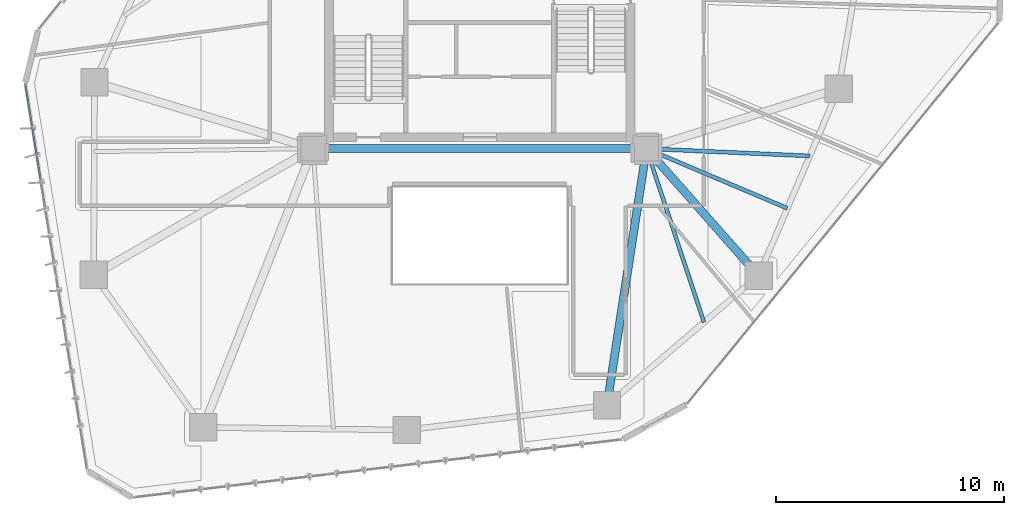
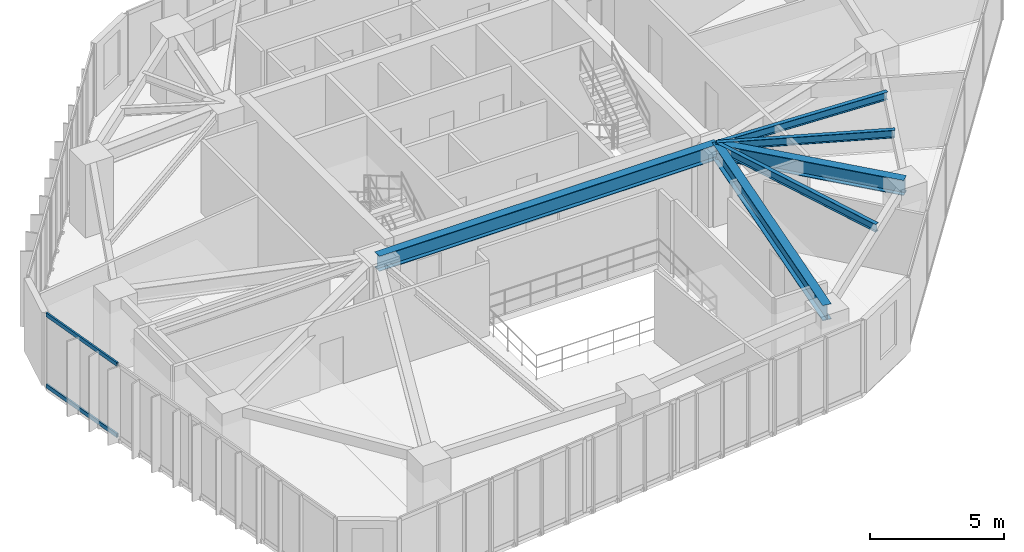
# One storey, part 8 of 24: 6 beams, 2 members, 1 element without a shape of its own.
"""IFC4 building model written with IfcOpenShell, lengths in metres."""

from ifc_helpers import new_model, si_unit, direction, frame, origin, origin_2d, place, context, subcontext, project, spatial, hollow_rectangle, i_section, extrude, source, transform, mapped, material, layer, layer_set, material_profile, profile_set, type_object, type_shapes, element, aggregate, save


model = new_model("IFC4")

# Units and contexts
model_context = context("Model", 3, precision=1e-05, world=origin(), true_north=direction((0.0, 1.0)))
body_context = subcontext(model_context, "Body", "Model", "MODEL_VIEW")
ifc_project = project(units=[si_unit("LENGTHUNIT", "METRE"), si_unit("AREAUNIT", "SQUARE_METRE"), si_unit("VOLUMEUNIT", "CUBIC_METRE"), si_unit("PLANEANGLEUNIT", "RADIAN"), si_unit("MASSUNIT", "GRAM", prefix="KILO")], contexts=[model_context])

# Site, building, storey
site_placement = place(None, origin())
site = spatial("IfcSite", under=ifc_project, at=site_placement, CompositionType="ELEMENT")
building_placement = place(site_placement, origin())
building = spatial("IfcBuilding", under=site, at=building_placement, Name="Talar Marvaseh", CompositionType="ELEMENT")
storey_placement = place(building_placement, frame((0.0, 0.0, 111.0)))
storey = spatial("IfcBuildingStorey", under=building, at=storey_placement, Name="L28", CompositionType="ELEMENT", Elevation=111.0)

# Beams
ifc_material_1 = material(Name="Steel S355", Category="steel")
ifc_material_profile_1 = material_profile(ifc_material_1, i_section(OverallWidth=0.35498046875, OverallDepth=0.695068359375, WebThickness=0.015380859375, FlangeThickness=0.02490234375, at=origin_2d()), Name="W690x217")
ifc_profile_set_1 = profile_set([ifc_material_profile_1], Name="Steel S355")
beam_type_1 = type_object("IfcBeamType", Name="Zone 2 Radial Floor Girder W690x217", PredefinedType="BEAM", material=ifc_profile_set_1)
beam_1_placement = place(storey_placement, frame((18.699951171875, 25.5, 2.96240234375), z_axis=(1.0, 0.0, 0.0), x_axis=(0.0, 1.0, 0.0)))
element("IfcBeam", 1, at=beam_1_placement, inside=storey, type_object=beam_type_1, Name="L28 Zone 2 Radial Floor Girder W690x217", PredefinedType="BEAM", context=body_context, shape_type="SweptSolid", body=[
    extrude(i_section(OverallWidth=0.35498046875, OverallDepth=0.695068359375, WebThickness=0.015380859375, FlangeThickness=0.02490234375, at=origin_2d()), origin(), (0.0, 0.0, 1.0), 14.60009765625),
])
beam_2_placement = place(storey_placement, frame((38.2060546875, 19.94091796875, 2.96240234375), z_axis=(-0.661692423388, 0.749775390921, 0.0), x_axis=(-0.749775390921, -0.661692423388, 0.0)))
element("IfcBeam", 2, at=beam_2_placement, inside=storey, type_object=beam_type_1, Name="L28 Zone 2 Radial Floor Girder W690x217", PredefinedType="BEAM", context=body_context, shape_type="SweptSolid", body=[
    extrude(i_section(OverallWidth=0.35498046875, OverallDepth=0.695068359375, WebThickness=0.015380859375, FlangeThickness=0.02490234375, at=origin_2d()), origin(), (0.0, 0.0, 1.0), 7.414306640625),
])
beam_3_placement = place(storey_placement, frame((31.570068359375, 14.26806640625, 2.96240234375), z_axis=(0.152228300633, 0.98834535689, 0.0), x_axis=(-0.98834535689, 0.152228300633, 0.0)))
element("IfcBeam", 3, at=beam_3_placement, inside=storey, type_object=beam_type_1, Name="L28 Zone 2 Radial Floor Girder W690x217", PredefinedType="BEAM", context=body_context, shape_type="SweptSolid", body=[
    extrude(i_section(OverallWidth=0.35498046875, OverallDepth=0.695068359375, WebThickness=0.015380859375, FlangeThickness=0.02490234375, at=origin_2d()), origin(), (0.0, 0.0, 1.0), 11.364501953125),
])
ifc_material_profile_2 = material_profile(ifc_material_1, i_section(OverallWidth=0.172119140625, OverallDepth=0.35791015625, WebThickness=0.0078125, FlangeThickness=0.01318359375, at=origin_2d()), Name="W360x57")
ifc_profile_set_2 = profile_set([ifc_material_profile_2], Name="Steel S355")
beam_type_2 = type_object("IfcBeamType", Name="Zone 2 Secondary Floor Joist W360x57", PredefinedType="JOIST", material=ifc_profile_set_2)
beam_4_placement = place(storey_placement, frame((40.447998046875, 25.1806640625, 3.131103515625), z_axis=(-0.999003555358, 0.044630666385, 0.0), x_axis=(-0.044630666385, -0.999003555358, 0.0)))
element("IfcBeam", 4, at=beam_4_placement, inside=storey, type_object=beam_type_2, Name="L28 Zone 2 Secondary Floor Joist W360x57", PredefinedType="JOIST", context=body_context, shape_type="SweptSolid", body=[
    extrude(i_section(OverallWidth=0.172119140625, OverallDepth=0.35791015625, WebThickness=0.0078125, FlangeThickness=0.01318359375, at=origin_2d()), origin(), (0.0, 0.0, 1.0), 7.155029296875),
])
beam_5_placement = place(storey_placement, frame((39.467041015625, 22.88818359375, 3.131103515625), z_axis=(-0.920822287071, 0.389982455546, 0.0), x_axis=(-0.389982455546, -0.920822287071, 0.0)))
element("IfcBeam", 5, at=beam_5_placement, inside=storey, type_object=beam_type_2, Name="L28 Zone 2 Secondary Floor Joist W360x57", PredefinedType="JOIST", context=body_context, shape_type="SweptSolid", body=[
    extrude(i_section(OverallWidth=0.172119140625, OverallDepth=0.35791015625, WebThickness=0.0078125, FlangeThickness=0.01318359375, at=origin_2d()), origin(), (0.0, 0.0, 1.0), 6.697265625),
])
beam_6_placement = place(storey_placement, frame((35.81689453125, 17.898681640625, 3.131103515625), z_axis=(-0.314324535154, 0.949315588516, 0.0), x_axis=(-0.949315588516, -0.314324535154, 0.0)))
element("IfcBeam", 6, at=beam_6_placement, inside=storey, type_object=beam_type_2, Name="L28 Zone 2 Secondary Floor Joist W360x57", PredefinedType="JOIST", context=body_context, shape_type="SweptSolid", body=[
    extrude(i_section(OverallWidth=0.172119140625, OverallDepth=0.35791015625, WebThickness=0.0078125, FlangeThickness=0.01318359375, at=origin_2d()), origin(), (0.0, 0.0, 1.0), 8.007080078125),
])

# Curtain wall, members
ifc_material_2 = material(Name="Architectural Aluminium", Category="aluminium")
ifc_layer = layer(ifc_material_2, 0.199951171875)
ifc_layer_set = layer_set([ifc_layer], Name="Architectural Aluminium")
curtain_wall_type = type_object("IfcCurtainWallType", Name="Unitised Acoustic Library Curtain Wall Z2", PredefinedType="NOTDEFINED", material=ifc_layer_set)
curtain_wall_placement = place(storey_placement, origin())
curtain_wall = element("IfcCurtainWall", 7, at=curtain_wall_placement, inside=storey, type_object=curtain_wall_type, Name="L28 Unitised Acoustic Library Curtain Wall Z2", PredefinedType="NOTDEFINED")
ifc_material_profile_3 = material_profile(ifc_material_2, hollow_rectangle(XDim=0.074951171875, YDim=0.179931640625, WallThickness=0.0048828125, at=origin_2d()), Name="RHS180x75x5")
ifc_profile_set_3 = profile_set([ifc_material_profile_3], Name="Architectural Aluminium")
member_type = type_object("IfcMemberType", Name="Unitised Curtain Wall Transom RHS180x75x5", PredefinedType="USERDEFINED", material=ifc_profile_set_3)
shared_shape = source(origin(), body_context, "Body", "SweptSolid", [
    extrude(hollow_rectangle(XDim=0.074951171875, YDim=0.179931640625, WallThickness=0.0048828125, at=origin_2d()), origin(), (0.0, 0.0, 1.0), 4.185546875),
])
type_shapes(member_type, [shared_shape])
member_1_placement = place(storey_placement, frame((6.776123046875, 24.177734375, 0.03759765625), z_axis=(-0.158133823067, 0.987417689735, 0.0), x_axis=(-0.987417689735, -0.158133823067, 0.0)))
member_1 = element("IfcMember", 8, at=member_1_placement, type_object=member_type, Name="CW-Z2 transom 4.1", ObjectType="TRANSOM", PredefinedType="USERDEFINED", context=body_context, shape_type="MappedRepresentation", body=[
    mapped(shared_shape, transform((0.0, 0.0, 0.0), x_axis=(1.0, 0.0, 0.0), y_axis=(0.0, 1.0, 0.0), z_axis=(0.0, 0.0, 1.0), scale=1.0)),
])
member_2_placement = place(storey_placement, frame((6.776123046875, 24.177734375, 3.2724609375), z_axis=(-0.158133823067, 0.987417689735, 0.0), x_axis=(-0.987417689735, -0.158133823067, 0.0)))
member_2 = element("IfcMember", 9, at=member_2_placement, type_object=member_type, Name="CW-Z2 transom 4.2", ObjectType="TRANSOM", PredefinedType="USERDEFINED", context=body_context, shape_type="MappedRepresentation", body=[
    mapped(shared_shape, transform((0.0, 0.0, 0.0), x_axis=(1.0, 0.0, 0.0), y_axis=(0.0, 1.0, 0.0), z_axis=(0.0, 0.0, 1.0), scale=1.0)),
])
aggregate(curtain_wall, [member_1, member_2])

save(model, "model.ifc")
